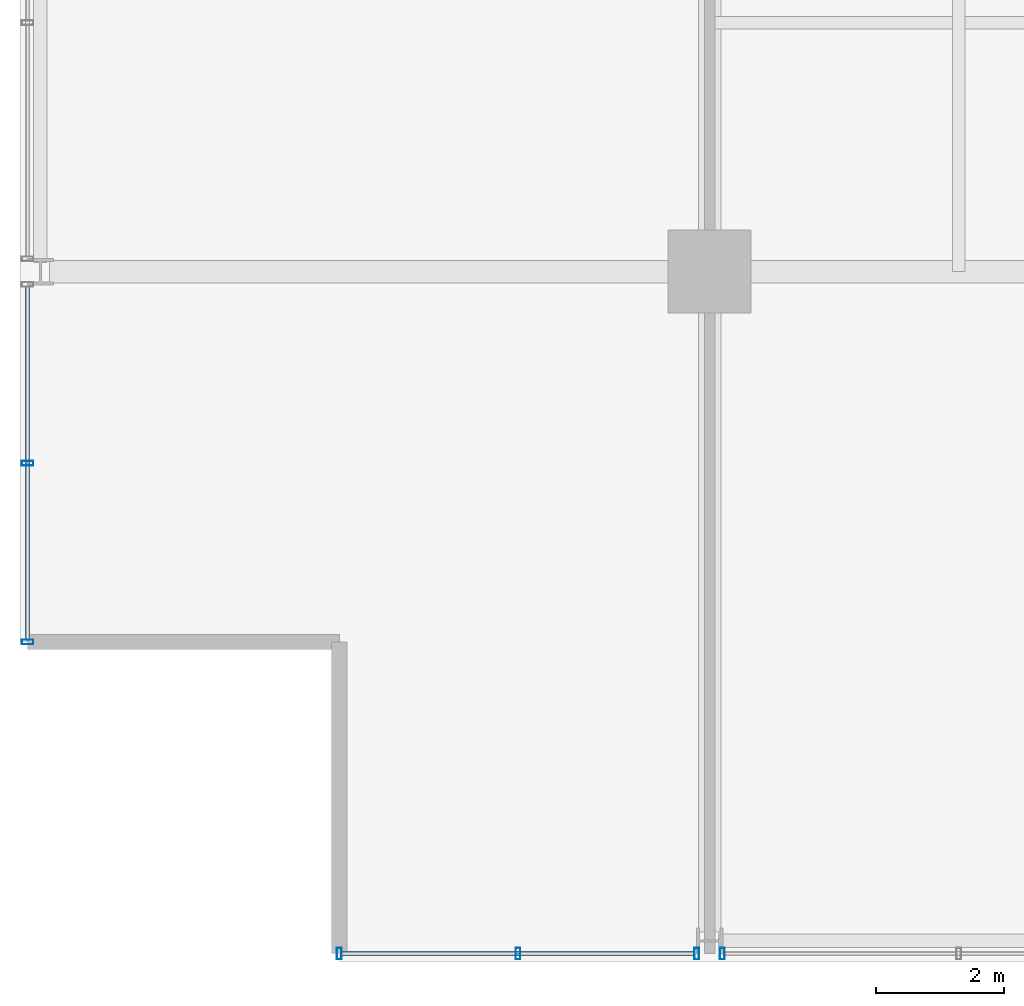
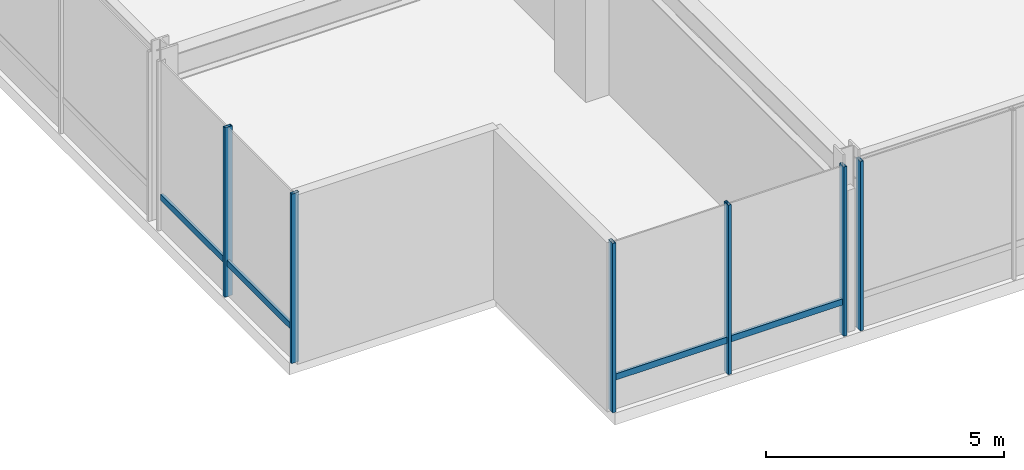
# One storey, part 2 of 32: 8 members, 3 elements without a shape of their own.
"""IFC4 building model written with IfcOpenShell, lengths in metres."""

from ifc_helpers import new_model, si_unit, direction, frame, origin, origin_2d, place, context, subcontext, project, spatial, hollow_rectangle, extrude, material, layer, layer_set, material_profile, profile_set, type_object, element, aggregate, save


model = new_model("IFC4")

# Units and contexts
model_context = context("Model", 3, precision=1e-05, world=origin(), true_north=direction((0.0, 1.0)))
body_context = subcontext(model_context, "Body", "Model", "MODEL_VIEW")
ifc_project = project(units=[si_unit("LENGTHUNIT", "METRE"), si_unit("AREAUNIT", "SQUARE_METRE"), si_unit("VOLUMEUNIT", "CUBIC_METRE"), si_unit("PLANEANGLEUNIT", "RADIAN"), si_unit("MASSUNIT", "GRAM", prefix="KILO")], contexts=[model_context])

# Site, building, storey
site_placement = place(None, origin())
site = spatial("IfcSite", under=ifc_project, at=site_placement, CompositionType="ELEMENT")
building_placement = place(site_placement, origin())
building = spatial("IfcBuilding", under=site, at=building_placement, Name="Drelvath Grand Hotel", CompositionType="ELEMENT")
storey_placement = place(building_placement, frame((0.0, 0.0, 145.800048828125)))
storey = spatial("IfcBuildingStorey", under=building, at=storey_placement, Name="L37", CompositionType="ELEMENT", Elevation=145.800048828125)

# Curtain wall, member
ifc_material = material(Name="Brushed Pale-Silver Anodised Aluminium Frame", Category="aluminium")
ifc_layer = layer(ifc_material, 0.199951171875)
ifc_layer_set = layer_set([ifc_layer], Name="Brushed Pale-Silver Anodised Aluminium Frame")
curtain_wall_type = type_object("IfcCurtainWallType", Name="Stick Curtain Wall CW-04 Brushed Silver Upper-Mid", PredefinedType="NOTDEFINED", material=ifc_layer_set)
curtain_wall_1_placement = place(storey_placement, origin())
curtain_wall_1 = element("IfcCurtainWall", 1, at=curtain_wall_1_placement, inside=storey, type_object=curtain_wall_type, Name="L37 CW-04 Curtain Wall CW04-L37-WS1", PredefinedType="NOTDEFINED")
ifc_material_profile_1 = material_profile(ifc_material, hollow_rectangle(XDim=0.06494140625, YDim=0.159912109375, WallThickness=0.00390625, at=origin_2d()), Name="HSS160X65X4")
ifc_profile_set_1 = profile_set([ifc_material_profile_1], Name="Brushed Pale-Silver Anodised Aluminium Frame")
member_type_1 = type_object("IfcMemberType", Name="Curtain Wall Horizontal Transom CW-04 HSS160X65X4", PredefinedType="USERDEFINED", material=ifc_profile_set_1)
member_1_placement = place(storey_placement, frame((-26.8798828125, 5.0400390625, 0.849853515625), z_axis=(0.0, 1.0, 0.0), x_axis=(-1.0, 0.0, 0.0)))
member_1 = element("IfcMember", 2, at=member_1_placement, type_object=member_type_1, Name="CW04-L37-WS1 Sill Transom", ObjectType="TRANSOM", PredefinedType="USERDEFINED", context=body_context, shape_type="SweptSolid", body=[
    extrude(hollow_rectangle(XDim=0.06494140625, YDim=0.159912109375, WallThickness=0.00390625, at=origin_2d()), origin(), (0.0, 0.0, 1.0), 5.519775390625),
])

curtain_wall_2_placement = place(storey_placement, origin())
curtain_wall_2 = element("IfcCurtainWall", 3, at=curtain_wall_2_placement, inside=storey, type_object=curtain_wall_type, Name="L37 CW-04 Curtain Wall CW04-L37-SW1", PredefinedType="NOTDEFINED")
member_2_placement = place(storey_placement, frame((-16.440185546875, 0.1201171875, 0.849853515625), z_axis=(-1.0, 0.0, 0.0), x_axis=(0.0, -1.0, 0.0)))
member_2 = element("IfcMember", 4, at=member_2_placement, type_object=member_type_1, Name="CW04-L37-SW1 Sill Transom", ObjectType="TRANSOM", PredefinedType="USERDEFINED", context=body_context, shape_type="SweptSolid", body=[
    extrude(hollow_rectangle(XDim=0.06494140625, YDim=0.159912109375, WallThickness=0.00390625, at=origin_2d()), origin(), (0.0, 0.0, 1.0), 5.519775390625),
])

# Member
ifc_material_profile_2 = material_profile(ifc_material, hollow_rectangle(XDim=0.074951171875, YDim=0.179931640625, WallThickness=0.0048828125, at=origin_2d()), Name="HSS180X75X5")
ifc_profile_set_2 = profile_set([ifc_material_profile_2], Name="Brushed Pale-Silver Anodised Aluminium Frame")
member_type_2 = type_object("IfcMemberType", Name="Curtain Wall Vertical Mullion CW-04 HSS180X75X5", PredefinedType="MULLION", material=ifc_profile_set_2)
member_3_placement = place(storey_placement, frame((-26.8798828125, 5.0, 0.0), z_axis=(0.0, 0.0, 1.0), x_axis=(0.0, 1.0, 0.0)))
member_3 = element("IfcMember", 5, at=member_3_placement, type_object=member_type_2, Name="CW04-L37-WS1 Mullion 1", PredefinedType="MULLION", context=body_context, shape_type="SweptSolid", body=[
    extrude(hollow_rectangle(XDim=0.074951171875, YDim=0.179931640625, WallThickness=0.0048828125, at=origin_2d()), origin(), (0.0, 0.0, 1.0), 4.33984375),
])

member_4_placement = place(storey_placement, frame((-26.8798828125, 7.7998046875, 0.0), z_axis=(0.0, 0.0, 1.0), x_axis=(0.0, 1.0, 0.0)))
member_4 = element("IfcMember", 6, at=member_4_placement, type_object=member_type_2, Name="CW04-L37-WS1 Mullion 2", PredefinedType="MULLION", context=body_context, shape_type="SweptSolid", body=[
    extrude(hollow_rectangle(XDim=0.074951171875, YDim=0.179931640625, WallThickness=0.0048828125, at=origin_2d()), origin(), (0.0, 0.0, 1.0), 4.33984375),
])

aggregate(curtain_wall_1, [member_3, member_4, member_1])

member_5_placement = place(storey_placement, frame((-16.400146484375, 0.1201171875, 0.0), z_axis=(0.0, 0.0, 1.0), x_axis=(1.0, 0.0, 0.0)))
member_5 = element("IfcMember", 7, at=member_5_placement, type_object=member_type_2, Name="CW04-L37-SW1 Mullion 1", PredefinedType="MULLION", context=body_context, shape_type="SweptSolid", body=[
    extrude(hollow_rectangle(XDim=0.074951171875, YDim=0.179931640625, WallThickness=0.0048828125, at=origin_2d()), origin(), (0.0, 0.0, 1.0), 4.33984375),
])

member_6_placement = place(storey_placement, frame((-19.199951171875, 0.1201171875, 0.0), z_axis=(0.0, 0.0, 1.0), x_axis=(1.0, 0.0, 0.0)))
member_6 = element("IfcMember", 8, at=member_6_placement, type_object=member_type_2, Name="CW04-L37-SW1 Mullion 2", PredefinedType="MULLION", context=body_context, shape_type="SweptSolid", body=[
    extrude(hollow_rectangle(XDim=0.074951171875, YDim=0.179931640625, WallThickness=0.0048828125, at=origin_2d()), origin(), (0.0, 0.0, 1.0), 4.33984375),
])

member_7_placement = place(storey_placement, frame((-22.0, 0.1201171875, 0.0), z_axis=(0.0, 0.0, 1.0), x_axis=(1.0, 0.0, 0.0)))
member_7 = element("IfcMember", 9, at=member_7_placement, type_object=member_type_2, Name="CW04-L37-SW1 Mullion 3", PredefinedType="MULLION", context=body_context, shape_type="SweptSolid", body=[
    extrude(hollow_rectangle(XDim=0.074951171875, YDim=0.179931640625, WallThickness=0.0048828125, at=origin_2d()), origin(), (0.0, 0.0, 1.0), 4.33984375),
])

aggregate(curtain_wall_2, [member_5, member_6, member_7, member_2])

# Curtain wall, member
curtain_wall_3_placement = place(storey_placement, origin())
curtain_wall_3 = element("IfcCurtainWall", 10, at=curtain_wall_3_placement, inside=storey, type_object=curtain_wall_type, Name="L37 CW-04 Curtain Wall CW04-L37-SW2", PredefinedType="NOTDEFINED")
member_8_placement = place(storey_placement, frame((-16.0, 0.1201171875, 0.0), z_axis=(0.0, 0.0, 1.0), x_axis=(1.0, 0.0, 0.0)))
member_8 = element("IfcMember", 11, at=member_8_placement, type_object=member_type_2, Name="CW04-L37-SW2 Mullion 3", PredefinedType="MULLION", context=body_context, shape_type="SweptSolid", body=[
    extrude(hollow_rectangle(XDim=0.074951171875, YDim=0.179931640625, WallThickness=0.0048828125, at=origin_2d()), origin(), (0.0, 0.0, 1.0), 4.33984375),
])
aggregate(curtain_wall_3, [member_8])

save(model, "model.ifc")
